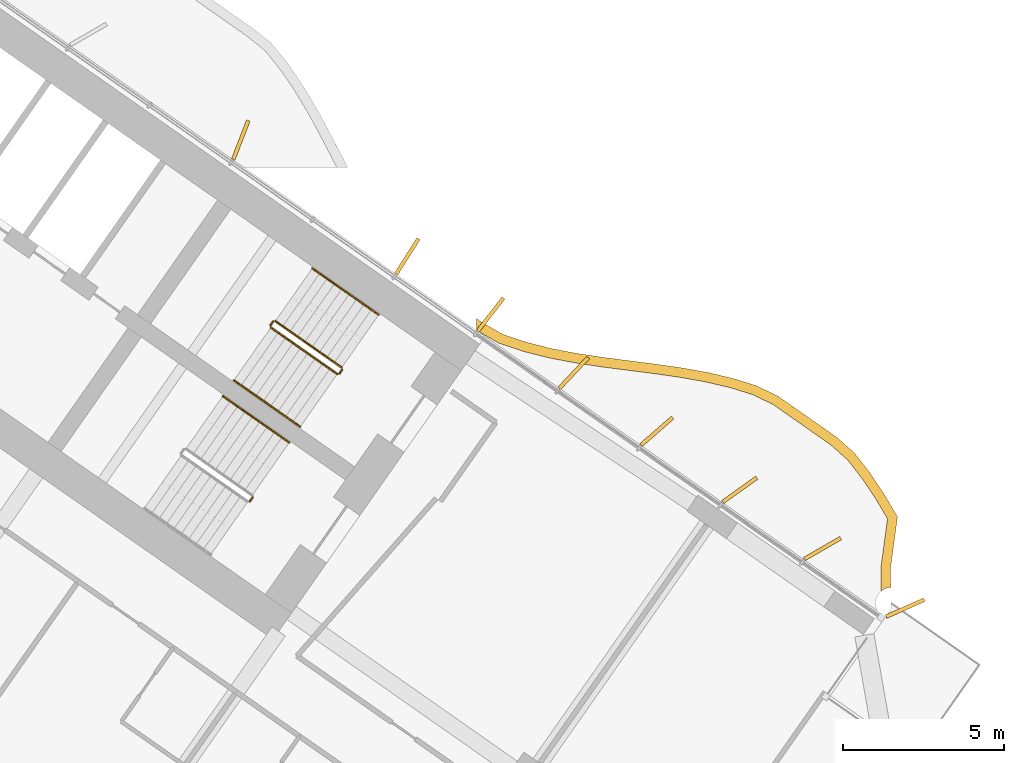
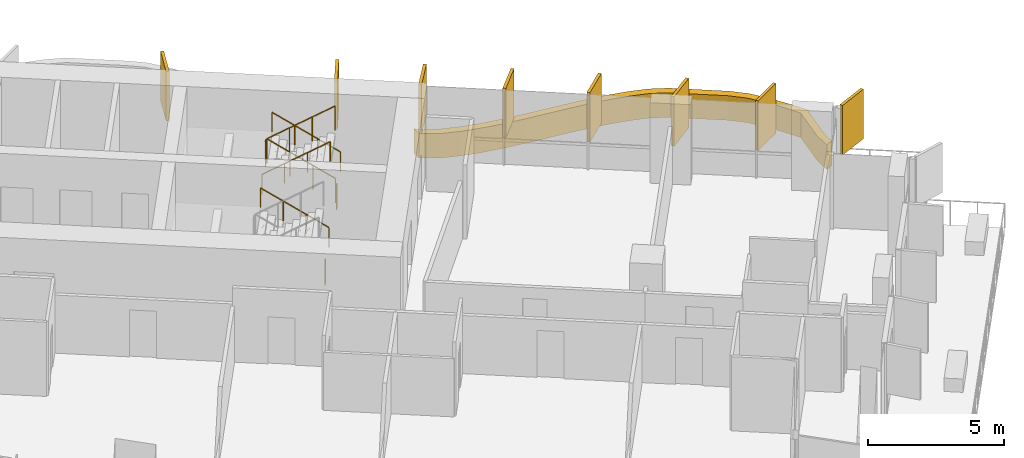
# One storey, part 24 of 25: 9 shading devices, 8 railings.
"""IFC4 building model written with IfcOpenShell, lengths in metres."""

from ifc_helpers import new_model, si_unit, direction, frame, origin, origin_2d, place, context, subcontext, project, spatial, polyline, rectangle, circle, outline, extrude, material, layer, layer_set, type_object, element, save


model = new_model("IFC4")

# Units and contexts
model_context = context("Model", 3, precision=1e-05, world=origin(), true_north=direction((0.0, 1.0)))
body_context = subcontext(model_context, "Body", "Model", "MODEL_VIEW")
ifc_project = project(units=[si_unit("LENGTHUNIT", "METRE"), si_unit("AREAUNIT", "SQUARE_METRE"), si_unit("VOLUMEUNIT", "CUBIC_METRE"), si_unit("PLANEANGLEUNIT", "RADIAN"), si_unit("MASSUNIT", "GRAM", prefix="KILO")], contexts=[model_context])

# Site, building, storey
site_placement = place(None, origin())
site = spatial("IfcSite", under=ifc_project, at=site_placement, CompositionType="ELEMENT")
building_placement = place(site_placement, origin())
building = spatial("IfcBuilding", under=site, at=building_placement, Name="Tel Ilan Convention Tower", CompositionType="ELEMENT")
storey_placement = place(building_placement, frame((0.0, 0.0, 76.10009765625)))
storey = spatial("IfcBuildingStorey", under=building, at=storey_placement, Name="L14", CompositionType="ELEMENT", Elevation=76.10009765625)

# Shading devices
ifc_material_1 = material(Name="Aluminium, bronze anodised", Category="aluminium")
ifc_layer_1 = layer(ifc_material_1, 0.1201171875)
ifc_layer_set_1 = layer_set([ifc_layer_1], Name="FIN BRONZE 1300x120")
shading_device_type_1 = type_object("IfcShadingDeviceType", Name="FIN BRONZE 1300x120", PredefinedType="USERDEFINED", material=ifc_layer_set_1)
for number, where, z_axis, x_axis, name in (
    (1, (41.19873046875, -15.338134765625, 1.10009765625), (0.0, 0.0, 1.0), (0.914332505315, 0.404964282034, 0.0), "FIN"),
    (2, (38.631103515625, -13.482177734375, 1.10009765625), (0.0, 0.0, 1.0), (0.866025403784, 0.5, 0.0), "FIN"),
    (3, (36.056884765625, -11.6572265625, 1.10009765625), (0.0, 0.0, 1.0), (0.813552070258, 0.581492071294, 0.0), "FIN"),
    (4, (33.477783203125, -9.8359375, 1.10009765625), (0.0, 0.0, 1.0), (0.753435896329, 0.657521368568, 0.0), "FIN"),
    (5, (30.893798828125, -8.018798828125, 1.10009765625), (0.0, 0.0, 1.0), (0.686241637865, 0.727373641577, 0.0), "FIN"),
    (6, (28.3056640625, -6.206298828125, 1.10009765625), (0.0, 0.0, 1.0), (0.612600545196, 0.790392669516, 0.0), "FIN"),
    (7, (25.71728515625, -4.393798828125, 1.10009765625), (0.0, 0.0, 1.0), (0.533204432798, 0.845986425922, 0.0), "FIN"),
    (8, (20.537353515625, -0.775146484375, 1.10009765625), (0.0, 0.0, 1.0), (0.360177724803, 0.932883704733, 0.0), "FIN"),
):
    element("IfcShadingDevice", number, at=place(storey_placement, frame(where, z_axis=z_axis, x_axis=x_axis)), inside=storey, type_object=shading_device_type_1, Name=name, ObjectType="FIN", PredefinedType="USERDEFINED", context=body_context, shape_type="SweptSolid", body=[
        extrude(rectangle(XDim=1.300048828125, YDim=0.1201171875, at=origin_2d()), origin(), (0.0, 0.0, 1.0), 2.219970703125),
    ])
ifc_material_2 = material(Name="Aluminium, bronze anodised", Category="aluminium")
ifc_layer_2 = layer(ifc_material_2, 0.300048828125)
ifc_layer_set_2 = layer_set([ifc_layer_2], Name="LOUVRE BAND 300x1100")
shading_device_type_2 = type_object("IfcShadingDeviceType", Name="LOUVRE BAND 300x1100", PredefinedType="USERDEFINED", material=ifc_layer_set_2)
shading_device_placement = place(storey_placement, origin())
element("IfcShadingDevice", 9, at=shading_device_placement, inside=storey, type_object=shading_device_type_2, Name="LOUVRE BAND 14.01", ObjectType="LOUVRE", PredefinedType="USERDEFINED", context=body_context, shape_type="SweptSolid", body=[
    extrude(outline(polyline([(27.874755859375, -6.70068359375), (28.560302734375, -7.094970703125), (29.330322265625, -7.353515625), (30.116943359375, -7.552490234375), (30.92724609375, -7.707763671875), (31.752685546875, -7.83251953125), (33.41064453125, -8.0458984375), (34.22314453125, -8.162841796875), (35.01220703125, -8.3046875), (35.76904296875, -8.482666015625), (36.477294921875, -8.7041015625), (37.107421875, -9.01416015625), (38.89111328125, -10.26318359375), (39.412109375, -10.73095703125), (39.86474609375, -11.31103515625), (40.29443359375, -11.954833984375), (40.649169921875, -12.559326171875), (40.443115234375, -14.07861328125), (40.454345703125, -14.805908203125), (40.511474609375, -14.765380859375), (40.598876953125, -14.72119140625), (40.693359375, -14.69482421875), (40.75244140625, -14.687255859375), (40.743408203125, -14.096435546875), (40.96044921875, -12.496826171875), (40.548828125, -11.795654296875), (40.108154296875, -11.13525390625), (39.63232421875, -10.525390625), (39.078125, -10.02783203125), (37.260498046875, -8.755126953125), (36.5888671875, -8.4248046875), (35.84814453125, -8.193115234375), (35.072998046875, -8.0107421875), (34.27099609375, -7.86669921875), (33.450927734375, -7.748779296875), (31.79443359375, -7.535400390625), (30.97802734375, -7.412109375), (30.181884765625, -7.259521484375), (29.414794921875, -7.0654296875), (28.68408203125, -6.820068359375), (28.040283203125, -6.44970703125), (27.874755859375, -6.333740234375), (27.874755859375, -6.70068359375)])), origin(), (0.0, 0.0, 1.0), 1.099853515625),
])

# Railings
ifc_material_3 = material(Name="Stainless Steel Grade 316", Category="steel")
railing_type_1 = type_object("IfcRailingType", Name="Stainless Steel Stair Guard 1100 mm", PredefinedType="GUARDRAIL", material=ifc_material_3)
railing_1_placement = place(storey_placement, frame((23.6787109375, -7.8515625, 0.179931640625)))
element("IfcRailing", 10, at=railing_1_placement, inside=storey, type_object=railing_type_1, Name="L14 S3 stair guard 1", PredefinedType="GUARDRAIL", context=body_context, shape_type="SweptSolid", body=[
    extrude(circle(Radius=0.02392578125, at=origin_2d()), frame((0.0, 0.0, 1.076171875), z_axis=(-0.689043377453, 0.48253410265, 0.540721798865), x_axis=(-0.573624882958, -0.819118119475, 0.0)), (0.0, 0.0, 1.0), 2.995849609375),
    extrude(circle(Radius=0.02099609375, at=origin_2d()), origin(), (0.0, 0.0, 1.0), 1.052001953125),
    extrude(circle(Radius=0.02099609375, at=origin_2d()), frame((-0.68798828125, 0.48193359375, 0.5400390625)), (0.0, 0.0, 1.0), 1.052001953125),
    extrude(circle(Radius=0.02099609375, at=origin_2d()), frame((-1.376220703125, 0.963623046875, 1.079833984375)), (0.0, 0.0, 1.0), 1.052001953125),
    extrude(circle(Radius=0.02099609375, at=origin_2d()), frame((-2.064208984375, 1.445556640625, 1.619873046875)), (0.0, 0.0, 1.0), 1.052001953125),
])
railing_2_placement = place(storey_placement, frame((21.544921875, -6.41845703125, 1.7998046875)))
element("IfcRailing", 11, at=railing_2_placement, inside=storey, type_object=railing_type_1, Name="L14 S3 stair guard 2", PredefinedType="GUARDRAIL", context=body_context, shape_type="SweptSolid", body=[
    extrude(circle(Radius=0.02392578125, at=origin_2d()), frame((0.0, 0.0, 1.076171875), z_axis=(-0.573353020881, -0.819308436089, 0.0), x_axis=(0.819308436089, -0.573353020881, 0.0)), (0.0, 0.0, 1.0), 0.14990234375),
    extrude(circle(Radius=0.02099609375, at=origin_2d()), origin(), (0.0, 0.0, 1.0), 1.052001953125),
    extrude(circle(Radius=0.02099609375, at=origin_2d()), frame((-0.0859375, -0.122802734375, 0.0)), (0.0, 0.0, 1.0), 1.052001953125),
])
railing_3_placement = place(storey_placement, frame((21.47119140625, -6.61083984375, 1.97998046875)))
element("IfcRailing", 12, at=railing_3_placement, inside=storey, type_object=railing_type_1, Name="L14 S3 stair guard 3", PredefinedType="GUARDRAIL", context=body_context, shape_type="SweptSolid", body=[
    extrude(circle(Radius=0.02392578125, at=origin_2d()), frame((0.0, 0.0, 1.076171875), z_axis=(0.689043377453, -0.48253410265, 0.540721798865), x_axis=(0.573624882958, 0.819118119475, 0.0)), (0.0, 0.0, 1.0), 2.995849609375),
    extrude(circle(Radius=0.02099609375, at=origin_2d()), origin(), (0.0, 0.0, 1.0), 1.052001953125),
    extrude(circle(Radius=0.02099609375, at=origin_2d()), frame((0.68798828125, -0.48193359375, 0.5400390625)), (0.0, 0.0, 1.0), 1.052001953125),
    extrude(circle(Radius=0.02099609375, at=origin_2d()), frame((1.376220703125, -0.963623046875, 1.079833984375)), (0.0, 0.0, 1.0), 1.052001953125),
    extrude(circle(Radius=0.02099609375, at=origin_2d()), frame((2.064208984375, -1.445556640625, 1.619873046875)), (0.0, 0.0, 1.0), 1.052001953125),
])
railing_4_placement = place(storey_placement, frame((23.691162109375, -7.921142578125, 0.0)))
element("IfcRailing", 13, at=railing_4_placement, inside=storey, type_object=railing_type_1, Name="L14 S3 stair guard 4", PredefinedType="GUARDRAIL", context=body_context, shape_type="SweptSolid", body=[
    extrude(circle(Radius=0.02392578125, at=origin_2d()), frame((0.0, 0.0, 1.076171875), z_axis=(-0.574444878118, -0.818543268254, 0.0), x_axis=(0.818543268254, -0.574444878118, 0.0)), (0.0, 0.0, 1.0), 0.150146484375),
    extrude(circle(Radius=0.02099609375, at=origin_2d()), origin(), (0.0, 0.0, 1.0), 1.052001953125),
    extrude(circle(Radius=0.02099609375, at=origin_2d()), frame((-0.086181640625, -0.122802734375, 0.0)), (0.0, 0.0, 1.0), 1.052001953125),
])
railing_5_placement = place(storey_placement, frame((20.9091796875, -11.89404296875, 0.0)))
element("IfcRailing", 14, at=railing_5_placement, inside=storey, type_object=railing_type_1, Name="L14 S4 stair guard 4", PredefinedType="GUARDRAIL", context=body_context, shape_type="SweptSolid", body=[
    extrude(circle(Radius=0.02392578125, at=origin_2d()), frame((0.0, 0.0, 1.076171875), z_axis=(-0.573353020881, -0.819308436089, 0.0), x_axis=(0.819308436089, -0.573353020881, 0.0)), (0.0, 0.0, 1.0), 0.14990234375),
    extrude(circle(Radius=0.02099609375, at=origin_2d()), origin(), (0.0, 0.0, 1.0), 1.052001953125),
    extrude(circle(Radius=0.02099609375, at=origin_2d()), frame((-0.0859375, -0.122802734375, 0.0)), (0.0, 0.0, 1.0), 1.052001953125),
])
ifc_material_4 = material(Name="Stainless Steel Grade 316", Category="steel")
railing_type_2 = type_object("IfcRailingType", Name="Stainless Steel Stair Handrail 900 mm", PredefinedType="HANDRAIL", material=ifc_material_4)
railing_6_placement = place(storey_placement, frame((24.825927734375, -6.213134765625, 0.179931640625)))
element("IfcRailing", 15, at=railing_6_placement, inside=storey, type_object=railing_type_2, Name="L14 S3 stair handrail 1", PredefinedType="HANDRAIL", context=body_context, shape_type="SweptSolid", body=[
    extrude(circle(Radius=0.02392578125, at=origin_2d()), frame((0.0, 0.0, 0.8759765625), z_axis=(-0.68907047291, 0.482471578903, 0.540743061828), x_axis=(-0.573559875649, -0.819163639968, 0.0)), (0.0, 0.0, 1.0), 2.99560546875),
    extrude(circle(Radius=0.02099609375, at=origin_2d()), origin(), (0.0, 0.0, 1.0), 0.851806640625),
    extrude(circle(Radius=0.02099609375, at=origin_2d()), frame((-0.68798828125, 0.481689453125, 0.5400390625)), (0.0, 0.0, 1.0), 0.851806640625),
    extrude(circle(Radius=0.02099609375, at=origin_2d()), frame((-1.376220703125, 0.963623046875, 1.079833984375)), (0.0, 0.0, 1.0), 0.851806640625),
    extrude(circle(Radius=0.02099609375, at=origin_2d()), frame((-2.064208984375, 1.4453125, 1.619873046875)), (0.0, 0.0, 1.0), 0.851806640625),
])
railing_7_placement = place(storey_placement, frame((20.323974609375, -8.249267578125, 1.97998046875)))
element("IfcRailing", 16, at=railing_7_placement, inside=storey, type_object=railing_type_2, Name="L14 S3 stair handrail 2", PredefinedType="HANDRAIL", context=body_context, shape_type="SweptSolid", body=[
    extrude(circle(Radius=0.02392578125, at=origin_2d()), frame((0.0, 0.0, 0.8759765625), z_axis=(0.68907047291, -0.482471578903, 0.540743061828), x_axis=(0.573559875649, 0.819163639968, 0.0)), (0.0, 0.0, 1.0), 2.99560546875),
    extrude(circle(Radius=0.02099609375, at=origin_2d()), origin(), (0.0, 0.0, 1.0), 0.851806640625),
    extrude(circle(Radius=0.02099609375, at=origin_2d()), frame((0.68798828125, -0.481689453125, 0.5400390625)), (0.0, 0.0, 1.0), 0.851806640625),
    extrude(circle(Radius=0.02099609375, at=origin_2d()), frame((1.376220703125, -0.963623046875, 1.079833984375)), (0.0, 0.0, 1.0), 0.851806640625),
    extrude(circle(Radius=0.02099609375, at=origin_2d()), frame((2.064208984375, -1.4453125, 1.619873046875)), (0.0, 0.0, 1.0), 0.851806640625),
])
railing_8_placement = place(storey_placement, frame((22.044189453125, -10.18603515625, 0.179931640625)))
element("IfcRailing", 17, at=railing_8_placement, inside=storey, type_object=railing_type_2, Name="L14 S4 stair handrail 1", PredefinedType="HANDRAIL", context=body_context, shape_type="SweptSolid", body=[
    extrude(circle(Radius=0.02392578125, at=origin_2d()), frame((0.0, 0.0, 0.8759765625), z_axis=(-0.689113270881, 0.482444484817, 0.540712695399), x_axis=(-0.573514357932, -0.81919550856, 0.0)), (0.0, 0.0, 1.0), 2.995849609375),
    extrude(circle(Radius=0.02099609375, at=origin_2d()), origin(), (0.0, 0.0, 1.0), 0.851806640625),
    extrude(circle(Radius=0.02099609375, at=origin_2d()), frame((-0.688232421875, 0.481689453125, 0.5400390625)), (0.0, 0.0, 1.0), 0.851806640625),
    extrude(circle(Radius=0.02099609375, at=origin_2d()), frame((-1.376220703125, 0.963623046875, 1.079833984375)), (0.0, 0.0, 1.0), 0.851806640625),
    extrude(circle(Radius=0.02099609375, at=origin_2d()), frame((-2.064453125, 1.4453125, 1.619873046875)), (0.0, 0.0, 1.0), 0.851806640625),
])

save(model, "model.ifc")
